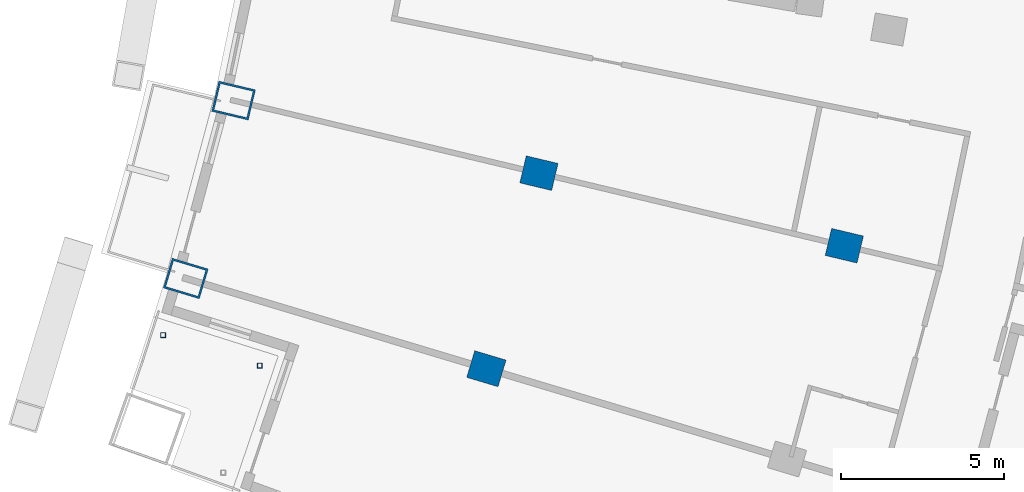
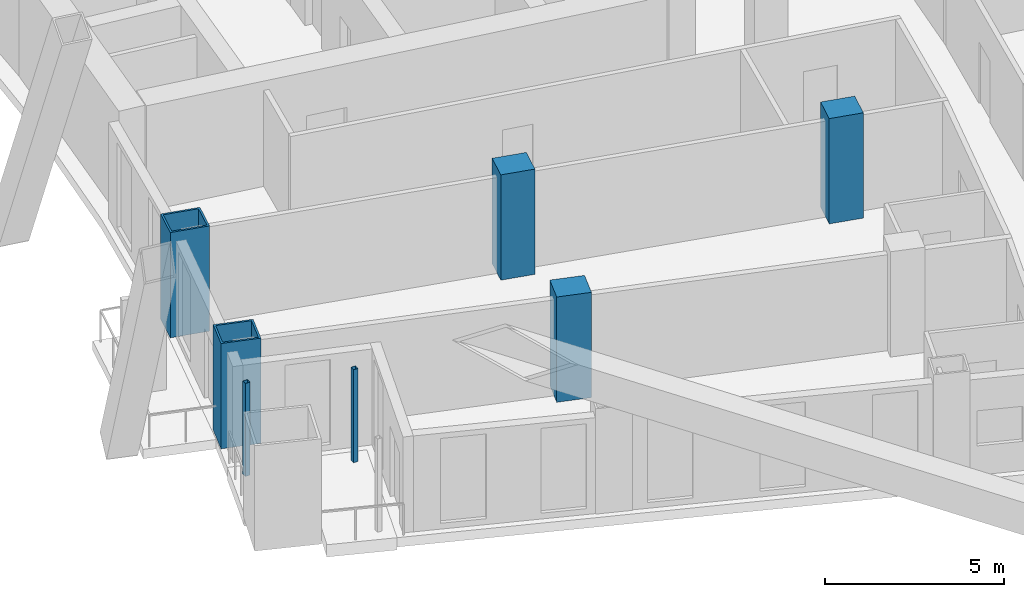
# One storey, part 3 of 25: 7 columns.
"""IFC4 building model written with IfcOpenShell, lengths in metres."""

from ifc_helpers import new_model, si_unit, direction, frame, origin, origin_2d, place, context, subcontext, project, spatial, rectangle, hollow_rectangle, extrude, material, material_profile, profile_set, type_object, element, save


model = new_model("IFC4")

# Units and contexts
model_context = context("Model", 3, precision=1e-05, world=origin(), true_north=direction((0.0, 1.0)))
body_context = subcontext(model_context, "Body", "Model", "MODEL_VIEW")
ifc_project = project(units=[si_unit("LENGTHUNIT", "METRE"), si_unit("AREAUNIT", "SQUARE_METRE"), si_unit("VOLUMEUNIT", "CUBIC_METRE"), si_unit("PLANEANGLEUNIT", "RADIAN"), si_unit("MASSUNIT", "GRAM", prefix="KILO")], contexts=[model_context])

# Site, building, storey
site_placement = place(None, origin())
site = spatial("IfcSite", under=ifc_project, at=site_placement, CompositionType="ELEMENT")
building_placement = place(site_placement, origin())
building = spatial("IfcBuilding", under=site, at=building_placement, Name="Alderwake Tower", CompositionType="ELEMENT")
storey_placement = place(building_placement, frame((0.0, 0.0, 114.800048828125)))
storey = spatial("IfcBuildingStorey", under=building, at=storey_placement, Name="L28", CompositionType="ELEMENT", Elevation=114.800048828125)

# Columns
ifc_material_1 = material(Name="Concrete C70/85", Category="concrete")
ifc_material_profile_1 = material_profile(ifc_material_1, rectangle(XDim=0.85009765625, YDim=1.0, at=origin_2d()), Name="RC 1000X850")
ifc_profile_set_1 = profile_set([ifc_material_profile_1], Name="Concrete C70/85")
column_type_1 = type_object("IfcColumnType", Name="Interior column Z2", PredefinedType="COLUMN", material=ifc_profile_set_1)
for number, where, z_axis, x_axis, name in (
    (1, (21.714599609375, 30.46240234375, 0.0), (0.0, 0.0, 1.0), (0.287549418125, 0.957765802342, 0.0), "Column R02-C1"),
    (2, (23.322021484375, 36.444091796875, 0.0), (0.0, 0.0, 1.0), (0.231221547198, 0.972901123502, 0.0), "Column R03-C1"),
    (3, (32.661865234375, 34.224609375, 0.0), (0.0, 0.0, 1.0), (0.231221547198, 0.972901123502, 0.0), "Column R03-C2"),
):
    element("IfcColumn", number, at=place(storey_placement, frame(where, z_axis=z_axis, x_axis=x_axis)), inside=storey, type_object=column_type_1, Name=name, PredefinedType="COLUMN", context=body_context, shape_type="SweptSolid", body=[
        extrude(rectangle(XDim=0.85009765625, YDim=1.0, at=origin_2d()), origin(), (0.0, 0.0, 1.0), 3.599853515625),
    ])
ifc_material_2 = material(Name="Steel ASTM A500 Grade C", Category="steel")
ifc_material_profile_2 = material_profile(ifc_material_2, hollow_rectangle(XDim=0.15234375, YDim=0.15234375, WallThickness=0.0087890625, at=origin_2d()), Name="HSS6X6X3/8")
ifc_profile_set_2 = profile_set([ifc_material_profile_2], Name="Steel ASTM A500 Grade C")
column_type_2 = type_object("IfcColumnType", Name="Light post HSS6X6X3/8", PredefinedType="COLUMN", material=ifc_profile_set_2)
for number, where, z_axis, x_axis, name in (
    (4, (11.82568359375, 31.492919921875, 0.0), (0.0, 0.0, 1.0), (1.0, 0.0, 0.0), "Terrace post RS1"),
    (5, (14.781494140625, 30.558349609375, 0.0), (0.0, 0.0, 1.0), (1.0, 0.0, 0.0), "Terrace post RS3"),
):
    element("IfcColumn", number, at=place(storey_placement, frame(where, z_axis=z_axis, x_axis=x_axis)), inside=storey, type_object=column_type_2, Name=name, PredefinedType="COLUMN", context=body_context, shape_type="SweptSolid", body=[
        extrude(hollow_rectangle(XDim=0.15234375, YDim=0.15234375, WallThickness=0.0087890625, at=origin_2d()), origin(), (0.0, 0.0, 1.0), 3.179931640625),
    ])
ifc_material_3 = material(Name="Steel ASTM A572 Grade 50 concrete filled C70/85", Category="concrete")
ifc_material_profile_3 = material_profile(ifc_material_3, hollow_rectangle(XDim=0.949951171875, YDim=1.14990234375, WallThickness=0.06005859375, at=origin_2d()), Name="BOX 1150X950X60")
ifc_profile_set_3 = profile_set([ifc_material_profile_3], Name="Steel ASTM A572 Grade 50 concrete filled C70/85")
column_type_3 = type_object("IfcColumnType", Name="Perimeter column Z2", PredefinedType="COLUMN", material=ifc_profile_set_3)
for number, where, z_axis, x_axis, name in (
    (6, (12.520263671875, 33.222900390625, 0.0), (0.0, 0.0, 1.0), (0.287549418125, 0.957765802342, 0.0), "Column R02-C0"),
    (7, (13.982177734375, 38.6640625, 0.0), (0.0, 0.0, 1.0), (0.231221547198, 0.972901123502, 0.0), "Column R03-C0"),
):
    element("IfcColumn", number, at=place(storey_placement, frame(where, z_axis=z_axis, x_axis=x_axis)), inside=storey, type_object=column_type_3, Name=name, PredefinedType="COLUMN", context=body_context, shape_type="SweptSolid", body=[
        extrude(hollow_rectangle(XDim=0.949951171875, YDim=1.14990234375, WallThickness=0.06005859375, at=origin_2d()), origin(), (0.0, 0.0, 1.0), 3.599853515625),
    ])

save(model, "model.ifc")
